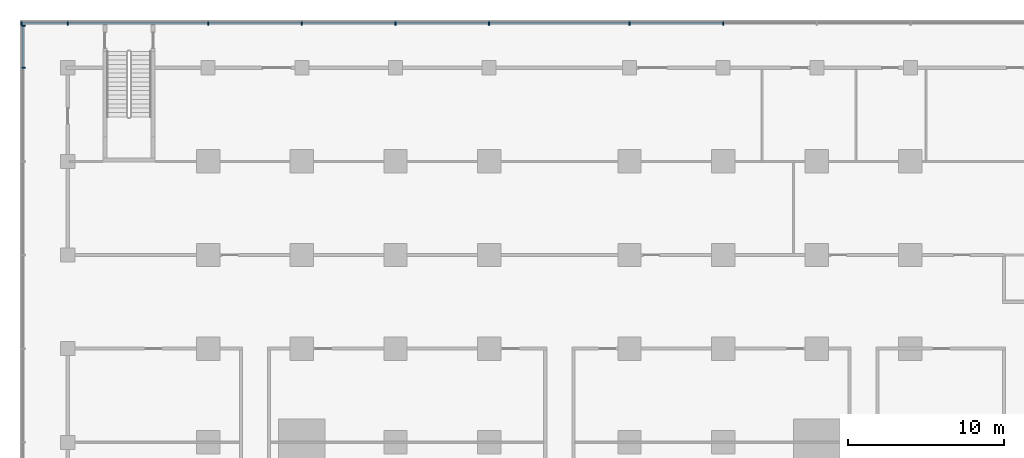
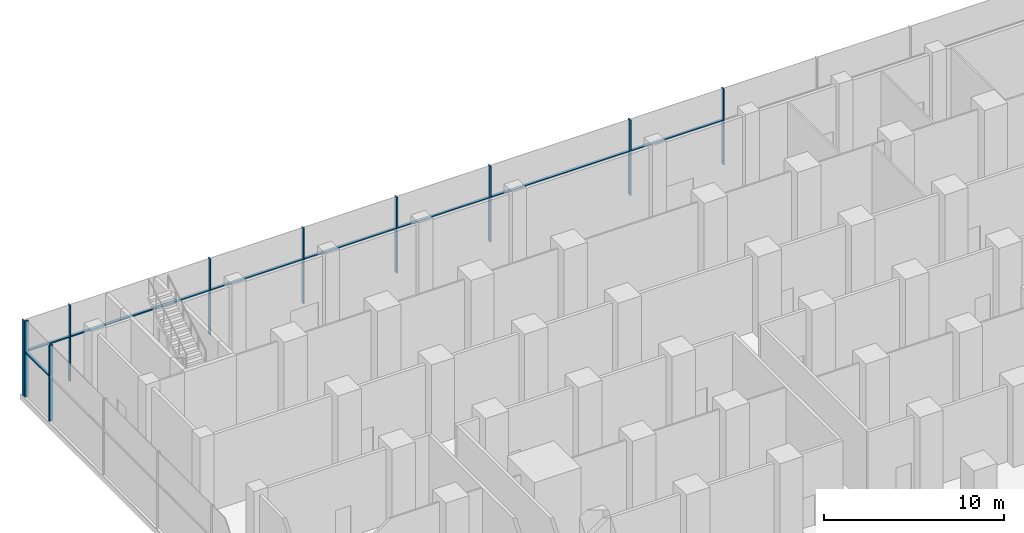
# One storey, part 7 of 22: 18 members, 2 elements without a shape of their own.
"""IFC4 building model written with IfcOpenShell, lengths in metres."""

from ifc_helpers import new_model, si_unit, direction, frame, origin, origin_2d, place, context, subcontext, project, spatial, rectangle, extrude, material, material_profile, profile_set, type_object, element, aggregate, save


model = new_model("IFC4")

# Units and contexts
model_context = context("Model", 3, precision=1e-05, world=origin(), true_north=direction((0.0, 1.0)))
body_context = subcontext(model_context, "Body", "Model", "MODEL_VIEW")
ifc_project = project(units=[si_unit("LENGTHUNIT", "METRE"), si_unit("AREAUNIT", "SQUARE_METRE"), si_unit("VOLUMEUNIT", "CUBIC_METRE"), si_unit("PLANEANGLEUNIT", "RADIAN"), si_unit("MASSUNIT", "GRAM", prefix="KILO")], contexts=[model_context])

# Site, building, storey
site_placement = place(None, origin())
site = spatial("IfcSite", under=ifc_project, at=site_placement, CompositionType="ELEMENT")
building_placement = place(site_placement, origin())
building = spatial("IfcBuilding", under=site, at=building_placement, Name="Finial Court Residences", CompositionType="ELEMENT")
storey_placement = place(building_placement, frame((0.0, 0.0, 8.0)))
storey = spatial("IfcBuildingStorey", under=building, at=storey_placement, Name="L01", CompositionType="ELEMENT", Elevation=8.0)

# Curtain wall, members
ifc_material = material(Name="Bronze anodised aluminium", Category="aluminium")
curtain_wall_type = type_object("IfcCurtainWallType", Name="Podium curtain wall", PredefinedType="NOTDEFINED", material=ifc_material)
curtain_wall_1_placement = place(storey_placement, origin())
curtain_wall_1 = element("IfcCurtainWall", 1, at=curtain_wall_1_placement, inside=storey, type_object=curtain_wall_type, Name="E-L01-CW-N1", PredefinedType="NOTDEFINED")
ifc_material_profile_1 = material_profile(ifc_material, rectangle(XDim=0.22509765625, YDim=0.080078125, at=origin_2d()), Name="CW5 mullion 80 x 225")
ifc_profile_set_1 = profile_set([ifc_material_profile_1], Name="Bronze anodised aluminium")
member_type_1 = type_object("IfcMemberType", Name="CW5 mullion 80 x 225", PredefinedType="MULLION", material=ifc_profile_set_1)
member_1_placement = place(storey_placement, frame((-34.4599609375, 34.35009765625, 0.0), z_axis=(0.0, 0.0, 1.0), x_axis=(0.0, 1.0, 0.0)))
member_1 = element("IfcMember", 2, at=member_1_placement, type_object=member_type_1, Name="CW5 mullion 1", PredefinedType="MULLION", context=body_context, shape_type="SweptSolid", body=[
    extrude(rectangle(XDim=0.22509765625, YDim=0.080078125, at=origin_2d()), origin(), (0.0, 0.0, 1.0), 5.14990234375),
])
member_2_placement = place(storey_placement, frame((-31.5, 34.35009765625, 0.0), z_axis=(0.0, 0.0, 1.0), x_axis=(0.0, 1.0, 0.0)))
member_2 = element("IfcMember", 3, at=member_2_placement, type_object=member_type_1, Name="CW5 mullion 2", PredefinedType="MULLION", context=body_context, shape_type="SweptSolid", body=[
    extrude(rectangle(XDim=0.22509765625, YDim=0.080078125, at=origin_2d()), origin(), (0.0, 0.0, 1.0), 5.14990234375),
])
member_3_placement = place(storey_placement, frame((-22.5, 34.35009765625, 0.0), z_axis=(0.0, 0.0, 1.0), x_axis=(0.0, 1.0, 0.0)))
member_3 = element("IfcMember", 4, at=member_3_placement, type_object=member_type_1, Name="CW5 mullion 3", PredefinedType="MULLION", context=body_context, shape_type="SweptSolid", body=[
    extrude(rectangle(XDim=0.22509765625, YDim=0.080078125, at=origin_2d()), origin(), (0.0, 0.0, 1.0), 5.14990234375),
])
member_4_placement = place(storey_placement, frame((-16.5, 34.35009765625, 0.0), z_axis=(0.0, 0.0, 1.0), x_axis=(0.0, 1.0, 0.0)))
member_4 = element("IfcMember", 5, at=member_4_placement, type_object=member_type_1, Name="CW5 mullion 4", PredefinedType="MULLION", context=body_context, shape_type="SweptSolid", body=[
    extrude(rectangle(XDim=0.22509765625, YDim=0.080078125, at=origin_2d()), origin(), (0.0, 0.0, 1.0), 5.14990234375),
])
member_5_placement = place(storey_placement, frame((-10.5, 34.35009765625, 0.0), z_axis=(0.0, 0.0, 1.0), x_axis=(0.0, 1.0, 0.0)))
member_5 = element("IfcMember", 6, at=member_5_placement, type_object=member_type_1, Name="CW5 mullion 5", PredefinedType="MULLION", context=body_context, shape_type="SweptSolid", body=[
    extrude(rectangle(XDim=0.22509765625, YDim=0.080078125, at=origin_2d()), origin(), (0.0, 0.0, 1.0), 5.14990234375),
])
member_6_placement = place(storey_placement, frame((-4.5, 34.35009765625, 0.0), z_axis=(0.0, 0.0, 1.0), x_axis=(0.0, 1.0, 0.0)))
member_6 = element("IfcMember", 7, at=member_6_placement, type_object=member_type_1, Name="CW5 mullion 6", PredefinedType="MULLION", context=body_context, shape_type="SweptSolid", body=[
    extrude(rectangle(XDim=0.22509765625, YDim=0.080078125, at=origin_2d()), origin(), (0.0, 0.0, 1.0), 5.14990234375),
])
member_7_placement = place(storey_placement, frame((4.5, 34.35009765625, 0.0), z_axis=(0.0, 0.0, 1.0), x_axis=(0.0, 1.0, 0.0)))
member_7 = element("IfcMember", 8, at=member_7_placement, type_object=member_type_1, Name="CW5 mullion 7", PredefinedType="MULLION", context=body_context, shape_type="SweptSolid", body=[
    extrude(rectangle(XDim=0.22509765625, YDim=0.080078125, at=origin_2d()), origin(), (0.0, 0.0, 1.0), 5.14990234375),
])
member_8_placement = place(storey_placement, frame((10.5, 34.35009765625, 0.0), z_axis=(0.0, 0.0, 1.0), x_axis=(0.0, 1.0, 0.0)))
member_8 = element("IfcMember", 9, at=member_8_placement, type_object=member_type_1, Name="CW5 mullion 8", PredefinedType="MULLION", context=body_context, shape_type="SweptSolid", body=[
    extrude(rectangle(XDim=0.22509765625, YDim=0.080078125, at=origin_2d()), origin(), (0.0, 0.0, 1.0), 5.14990234375),
])

curtain_wall_2_placement = place(storey_placement, origin())
curtain_wall_2 = element("IfcCurtainWall", 10, at=curtain_wall_2_placement, inside=storey, type_object=curtain_wall_type, Name="E-L01-CW-W4", PredefinedType="NOTDEFINED")
member_9_placement = place(storey_placement, frame((-34.35009765625, 31.5, 0.0), z_axis=(0.0, 0.0, 1.0), x_axis=(-1.0, 0.0, 0.0)))
member_9 = element("IfcMember", 11, at=member_9_placement, type_object=member_type_1, Name="CW5 mullion 11", PredefinedType="MULLION", context=body_context, shape_type="SweptSolid", body=[
    extrude(rectangle(XDim=0.22509765625, YDim=0.080078125, at=origin_2d()), origin(), (0.0, 0.0, 1.0), 5.14990234375),
])
member_10_placement = place(storey_placement, frame((-34.35009765625, 34.197509765625, 0.0), z_axis=(0.0, 0.0, 1.0), x_axis=(-1.0, 0.0, 0.0)))
member_10 = element("IfcMember", 12, at=member_10_placement, type_object=member_type_1, Name="CW5 mullion 12", PredefinedType="MULLION", context=body_context, shape_type="SweptSolid", body=[
    extrude(rectangle(XDim=0.22509765625, YDim=0.080078125, at=origin_2d()), origin(), (0.0, 0.0, 1.0), 5.14990234375),
])

# Member
ifc_material_profile_2 = material_profile(ifc_material, rectangle(XDim=0.175048828125, YDim=0.080078125, at=origin_2d()), Name="CW5 transom 80 x 175")
ifc_profile_set_2 = profile_set([ifc_material_profile_2], Name="Bronze anodised aluminium")
member_type_2 = type_object("IfcMemberType", Name="CW5 transom 80 x 175", PredefinedType="USERDEFINED", material=ifc_profile_set_2)
member_11_placement = place(storey_placement, frame((-34.419921875, 34.35009765625, 3.0), z_axis=(1.0, 0.0, 0.0), x_axis=(0.0, 1.0, 0.0)))
member_11 = element("IfcMember", 13, at=member_11_placement, type_object=member_type_2, Name="CW5 transom 1.1", ObjectType="TRANSOM", PredefinedType="USERDEFINED", context=body_context, shape_type="SweptSolid", body=[
    extrude(rectangle(XDim=0.175048828125, YDim=0.080078125, at=origin_2d()), origin(), (0.0, 0.0, 1.0), 2.8798828125),
])

member_12_placement = place(storey_placement, frame((-31.4599609375, 34.35009765625, 3.0), z_axis=(1.0, 0.0, 0.0), x_axis=(0.0, 1.0, 0.0)))
member_12 = element("IfcMember", 14, at=member_12_placement, type_object=member_type_2, Name="CW5 transom 2.1", ObjectType="TRANSOM", PredefinedType="USERDEFINED", context=body_context, shape_type="SweptSolid", body=[
    extrude(rectangle(XDim=0.175048828125, YDim=0.080078125, at=origin_2d()), origin(), (0.0, 0.0, 1.0), 8.919921875),
])

member_13_placement = place(storey_placement, frame((-22.4599609375, 34.35009765625, 3.0), z_axis=(1.0, 0.0, 0.0), x_axis=(0.0, 1.0, 0.0)))
member_13 = element("IfcMember", 15, at=member_13_placement, type_object=member_type_2, Name="CW5 transom 3.1", ObjectType="TRANSOM", PredefinedType="USERDEFINED", context=body_context, shape_type="SweptSolid", body=[
    extrude(rectangle(XDim=0.175048828125, YDim=0.080078125, at=origin_2d()), origin(), (0.0, 0.0, 1.0), 5.919921875),
])

member_14_placement = place(storey_placement, frame((-16.4599609375, 34.35009765625, 3.0), z_axis=(1.0, 0.0, 0.0), x_axis=(0.0, 1.0, 0.0)))
member_14 = element("IfcMember", 16, at=member_14_placement, type_object=member_type_2, Name="CW5 transom 4.1", ObjectType="TRANSOM", PredefinedType="USERDEFINED", context=body_context, shape_type="SweptSolid", body=[
    extrude(rectangle(XDim=0.175048828125, YDim=0.080078125, at=origin_2d()), origin(), (0.0, 0.0, 1.0), 5.919921875),
])

member_15_placement = place(storey_placement, frame((-10.4599609375, 34.35009765625, 3.0), z_axis=(1.0, 0.0, 0.0), x_axis=(0.0, 1.0, 0.0)))
member_15 = element("IfcMember", 17, at=member_15_placement, type_object=member_type_2, Name="CW5 transom 5.1", ObjectType="TRANSOM", PredefinedType="USERDEFINED", context=body_context, shape_type="SweptSolid", body=[
    extrude(rectangle(XDim=0.175048828125, YDim=0.080078125, at=origin_2d()), origin(), (0.0, 0.0, 1.0), 5.919921875),
])

member_16_placement = place(storey_placement, frame((-4.4599609375, 34.35009765625, 3.0), z_axis=(1.0, 0.0, 0.0), x_axis=(0.0, 1.0, 0.0)))
member_16 = element("IfcMember", 18, at=member_16_placement, type_object=member_type_2, Name="CW5 transom 6.1", ObjectType="TRANSOM", PredefinedType="USERDEFINED", context=body_context, shape_type="SweptSolid", body=[
    extrude(rectangle(XDim=0.175048828125, YDim=0.080078125, at=origin_2d()), origin(), (0.0, 0.0, 1.0), 8.919921875),
])

member_17_placement = place(storey_placement, frame((4.5400390625, 34.35009765625, 3.0), z_axis=(1.0, 0.0, 0.0), x_axis=(0.0, 1.0, 0.0)))
member_17 = element("IfcMember", 19, at=member_17_placement, type_object=member_type_2, Name="CW5 transom 7.1", ObjectType="TRANSOM", PredefinedType="USERDEFINED", context=body_context, shape_type="SweptSolid", body=[
    extrude(rectangle(XDim=0.175048828125, YDim=0.080078125, at=origin_2d()), origin(), (0.0, 0.0, 1.0), 5.919921875),
])

aggregate(curtain_wall_1, [member_1, member_2, member_3, member_4, member_5, member_6, member_7, member_8, member_11, member_12, member_13, member_14, member_15, member_16, member_17])

member_18_placement = place(storey_placement, frame((-34.35009765625, 31.5400390625, 3.0), z_axis=(0.0, 1.0, 0.0), x_axis=(-1.0, 0.0, 0.0)))
member_18 = element("IfcMember", 20, at=member_18_placement, type_object=member_type_2, Name="CW5 transom 11.1", ObjectType="TRANSOM", PredefinedType="USERDEFINED", context=body_context, shape_type="SweptSolid", body=[
    extrude(rectangle(XDim=0.175048828125, YDim=0.080078125, at=origin_2d()), origin(), (0.0, 0.0, 1.0), 2.617431640625),
])

aggregate(curtain_wall_2, [member_9, member_10, member_18])

save(model, "model.ifc")
